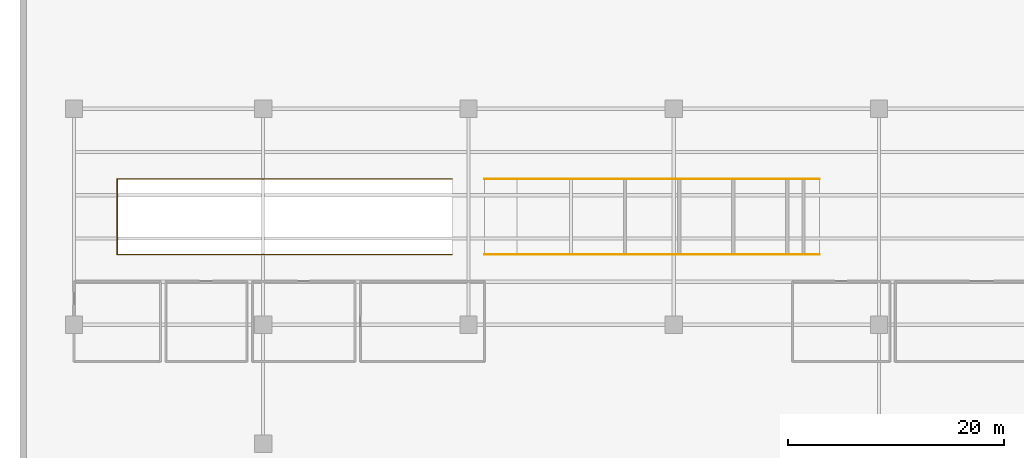
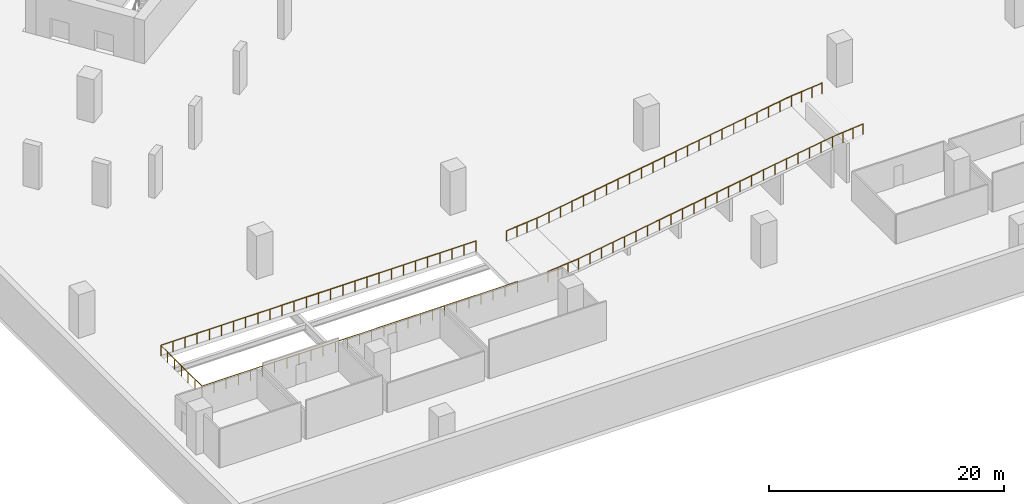
# One storey, part 9 of 11: 3 railings.
"""IFC4 building model written with IfcOpenShell, lengths in metres."""

from ifc_helpers import new_model, si_unit, direction, frame, origin, origin_2d, place, context, subcontext, project, spatial, circle, extrude, material, type_object, element, save


model = new_model("IFC4")

# Units and contexts
model_context = context("Model", 3, precision=1e-05, world=origin(), true_north=direction((0.0, 1.0)))
body_context = subcontext(model_context, "Body", "Model", "MODEL_VIEW")
ifc_project = project(units=[si_unit("LENGTHUNIT", "METRE"), si_unit("AREAUNIT", "SQUARE_METRE"), si_unit("VOLUMEUNIT", "CUBIC_METRE"), si_unit("PLANEANGLEUNIT", "RADIAN"), si_unit("MASSUNIT", "GRAM", prefix="KILO")], contexts=[model_context])

# Site, building, storey
site_placement = place(None, origin())
site = spatial("IfcSite", under=ifc_project, at=site_placement, CompositionType="ELEMENT")
building_placement = place(site_placement, origin())
building = spatial("IfcBuilding", under=site, at=building_placement, Name="Tel Ilan Convention Tower", CompositionType="ELEMENT")
storey_placement = place(building_placement, frame((0.0, 0.0, -4.5)))
storey = spatial("IfcBuildingStorey", under=building, at=storey_placement, Name="B1", CompositionType="ELEMENT", Elevation=-4.5)

# Railings
ifc_material = material(Name="Stainless Steel Grade 316", Category="steel")
railing_type = type_object("IfcRailingType", Name="Stainless Steel Ramp Guard 1100 mm", PredefinedType="GUARDRAIL", material=ifc_material)
railing_1_placement = place(storey_placement, frame((-11.0, -61.5, 0.0)))
element("IfcRailing", 1, at=railing_1_placement, inside=storey, type_object=railing_type, Name="Car Park Ramp B2-B1 opening guard", PredefinedType="GUARDRAIL", context=body_context, shape_type="SweptSolid", body=[
    extrude(circle(Radius=0.02392578125, at=origin_2d()), frame((0.0, 0.0, 1.076171875), z_axis=(-1.0, 0.0, 0.0), x_axis=(0.0, -1.0, 0.0)), (0.0, 0.0, 1.0), 31.0),
    extrude(circle(Radius=0.02392578125, at=origin_2d()), frame((-31.0, 0.0, 1.076171875), z_axis=(0.0, 1.0, 0.0), x_axis=(-1.0, 0.0, 0.0)), (0.0, 0.0, 1.0), 7.0),
    extrude(circle(Radius=0.02392578125, at=origin_2d()), frame((-31.0, 7.0, 1.076171875), z_axis=(1.0, 0.0, 0.0), x_axis=(0.0, 1.0, 0.0)), (0.0, 0.0, 1.0), 31.0),
    extrude(circle(Radius=0.02099609375, at=origin_2d()), origin(), (0.0, 0.0, 1.0), 1.052001953125),
    extrude(circle(Radius=0.02099609375, at=origin_2d()), frame((-1.1923828125, 0.0, 0.0)), (0.0, 0.0, 1.0), 1.052001953125),
    extrude(circle(Radius=0.02099609375, at=origin_2d()), frame((-2.384521484375, 0.0, 0.0)), (0.0, 0.0, 1.0), 1.052001953125),
    extrude(circle(Radius=0.02099609375, at=origin_2d()), frame((-3.576904296875, 0.0, 0.0)), (0.0, 0.0, 1.0), 1.052001953125),
    extrude(circle(Radius=0.02099609375, at=origin_2d()), frame((-4.769287109375, 0.0, 0.0)), (0.0, 0.0, 1.0), 1.052001953125),
    extrude(circle(Radius=0.02099609375, at=origin_2d()), frame((-5.96142578125, 0.0, 0.0)), (0.0, 0.0, 1.0), 1.052001953125),
    extrude(circle(Radius=0.02099609375, at=origin_2d()), frame((-7.15380859375, 0.0, 0.0)), (0.0, 0.0, 1.0), 1.052001953125),
    extrude(circle(Radius=0.02099609375, at=origin_2d()), frame((-8.34619140625, 0.0, 0.0)), (0.0, 0.0, 1.0), 1.052001953125),
    extrude(circle(Radius=0.02099609375, at=origin_2d()), frame((-9.53857421875, 0.0, 0.0)), (0.0, 0.0, 1.0), 1.052001953125),
    extrude(circle(Radius=0.02099609375, at=origin_2d()), frame((-10.730712890625, 0.0, 0.0)), (0.0, 0.0, 1.0), 1.052001953125),
    extrude(circle(Radius=0.02099609375, at=origin_2d()), frame((-11.923095703125, 0.0, 0.0)), (0.0, 0.0, 1.0), 1.052001953125),
    extrude(circle(Radius=0.02099609375, at=origin_2d()), frame((-13.115478515625, 0.0, 0.0)), (0.0, 0.0, 1.0), 1.052001953125),
    extrude(circle(Radius=0.02099609375, at=origin_2d()), frame((-14.3076171875, 0.0, 0.0)), (0.0, 0.0, 1.0), 1.052001953125),
    extrude(circle(Radius=0.02099609375, at=origin_2d()), frame((-15.5, 0.0, 0.0)), (0.0, 0.0, 1.0), 1.052001953125),
    extrude(circle(Radius=0.02099609375, at=origin_2d()), frame((-16.6923828125, 0.0, 0.0)), (0.0, 0.0, 1.0), 1.052001953125),
    extrude(circle(Radius=0.02099609375, at=origin_2d()), frame((-17.884521484375, 0.0, 0.0)), (0.0, 0.0, 1.0), 1.052001953125),
    extrude(circle(Radius=0.02099609375, at=origin_2d()), frame((-19.076904296875, 0.0, 0.0)), (0.0, 0.0, 1.0), 1.052001953125),
    extrude(circle(Radius=0.02099609375, at=origin_2d()), frame((-20.269287109375, 0.0, 0.0)), (0.0, 0.0, 1.0), 1.052001953125),
    extrude(circle(Radius=0.02099609375, at=origin_2d()), frame((-21.46142578125, 0.0, 0.0)), (0.0, 0.0, 1.0), 1.052001953125),
    extrude(circle(Radius=0.02099609375, at=origin_2d()), frame((-22.65380859375, 0.0, 0.0)), (0.0, 0.0, 1.0), 1.052001953125),
    extrude(circle(Radius=0.02099609375, at=origin_2d()), frame((-23.84619140625, 0.0, 0.0)), (0.0, 0.0, 1.0), 1.052001953125),
    extrude(circle(Radius=0.02099609375, at=origin_2d()), frame((-25.03857421875, 0.0, 0.0)), (0.0, 0.0, 1.0), 1.052001953125),
    extrude(circle(Radius=0.02099609375, at=origin_2d()), frame((-26.230712890625, 0.0, 0.0)), (0.0, 0.0, 1.0), 1.052001953125),
    extrude(circle(Radius=0.02099609375, at=origin_2d()), frame((-27.423095703125, 0.0, 0.0)), (0.0, 0.0, 1.0), 1.052001953125),
    extrude(circle(Radius=0.02099609375, at=origin_2d()), frame((-28.615478515625, 0.0, 0.0)), (0.0, 0.0, 1.0), 1.052001953125),
    extrude(circle(Radius=0.02099609375, at=origin_2d()), frame((-29.8076171875, 0.0, 0.0)), (0.0, 0.0, 1.0), 1.052001953125),
    extrude(circle(Radius=0.02099609375, at=origin_2d()), frame((-31.0, 0.0, 0.0)), (0.0, 0.0, 1.0), 1.052001953125),
    extrude(circle(Radius=0.02099609375, at=origin_2d()), frame((-31.0, 1.166748046875, 0.0)), (0.0, 0.0, 1.0), 1.052001953125),
    extrude(circle(Radius=0.02099609375, at=origin_2d()), frame((-31.0, 2.333251953125, 0.0)), (0.0, 0.0, 1.0), 1.052001953125),
    extrude(circle(Radius=0.02099609375, at=origin_2d()), frame((-31.0, 3.5, 0.0)), (0.0, 0.0, 1.0), 1.052001953125),
    extrude(circle(Radius=0.02099609375, at=origin_2d()), frame((-31.0, 4.666748046875, 0.0)), (0.0, 0.0, 1.0), 1.052001953125),
    extrude(circle(Radius=0.02099609375, at=origin_2d()), frame((-31.0, 5.833251953125, 0.0)), (0.0, 0.0, 1.0), 1.052001953125),
    extrude(circle(Radius=0.02099609375, at=origin_2d()), frame((-31.0, 7.0, 0.0)), (0.0, 0.0, 1.0), 1.052001953125),
    extrude(circle(Radius=0.02099609375, at=origin_2d()), frame((-29.8076171875, 7.0, 0.0)), (0.0, 0.0, 1.0), 1.052001953125),
    extrude(circle(Radius=0.02099609375, at=origin_2d()), frame((-28.615478515625, 7.0, 0.0)), (0.0, 0.0, 1.0), 1.052001953125),
    extrude(circle(Radius=0.02099609375, at=origin_2d()), frame((-27.423095703125, 7.0, 0.0)), (0.0, 0.0, 1.0), 1.052001953125),
    extrude(circle(Radius=0.02099609375, at=origin_2d()), frame((-26.230712890625, 7.0, 0.0)), (0.0, 0.0, 1.0), 1.052001953125),
    extrude(circle(Radius=0.02099609375, at=origin_2d()), frame((-25.03857421875, 7.0, 0.0)), (0.0, 0.0, 1.0), 1.052001953125),
    extrude(circle(Radius=0.02099609375, at=origin_2d()), frame((-23.84619140625, 7.0, 0.0)), (0.0, 0.0, 1.0), 1.052001953125),
    extrude(circle(Radius=0.02099609375, at=origin_2d()), frame((-22.65380859375, 7.0, 0.0)), (0.0, 0.0, 1.0), 1.052001953125),
    extrude(circle(Radius=0.02099609375, at=origin_2d()), frame((-21.46142578125, 7.0, 0.0)), (0.0, 0.0, 1.0), 1.052001953125),
    extrude(circle(Radius=0.02099609375, at=origin_2d()), frame((-20.269287109375, 7.0, 0.0)), (0.0, 0.0, 1.0), 1.052001953125),
    extrude(circle(Radius=0.02099609375, at=origin_2d()), frame((-19.076904296875, 7.0, 0.0)), (0.0, 0.0, 1.0), 1.052001953125),
    extrude(circle(Radius=0.02099609375, at=origin_2d()), frame((-17.884521484375, 7.0, 0.0)), (0.0, 0.0, 1.0), 1.052001953125),
    extrude(circle(Radius=0.02099609375, at=origin_2d()), frame((-16.6923828125, 7.0, 0.0)), (0.0, 0.0, 1.0), 1.052001953125),
    extrude(circle(Radius=0.02099609375, at=origin_2d()), frame((-15.5, 7.0, 0.0)), (0.0, 0.0, 1.0), 1.052001953125),
    extrude(circle(Radius=0.02099609375, at=origin_2d()), frame((-14.3076171875, 7.0, 0.0)), (0.0, 0.0, 1.0), 1.052001953125),
    extrude(circle(Radius=0.02099609375, at=origin_2d()), frame((-13.115478515625, 7.0, 0.0)), (0.0, 0.0, 1.0), 1.052001953125),
    extrude(circle(Radius=0.02099609375, at=origin_2d()), frame((-11.923095703125, 7.0, 0.0)), (0.0, 0.0, 1.0), 1.052001953125),
    extrude(circle(Radius=0.02099609375, at=origin_2d()), frame((-10.730712890625, 7.0, 0.0)), (0.0, 0.0, 1.0), 1.052001953125),
    extrude(circle(Radius=0.02099609375, at=origin_2d()), frame((-9.53857421875, 7.0, 0.0)), (0.0, 0.0, 1.0), 1.052001953125),
    extrude(circle(Radius=0.02099609375, at=origin_2d()), frame((-8.34619140625, 7.0, 0.0)), (0.0, 0.0, 1.0), 1.052001953125),
    extrude(circle(Radius=0.02099609375, at=origin_2d()), frame((-7.15380859375, 7.0, 0.0)), (0.0, 0.0, 1.0), 1.052001953125),
    extrude(circle(Radius=0.02099609375, at=origin_2d()), frame((-5.96142578125, 7.0, 0.0)), (0.0, 0.0, 1.0), 1.052001953125),
    extrude(circle(Radius=0.02099609375, at=origin_2d()), frame((-4.769287109375, 7.0, 0.0)), (0.0, 0.0, 1.0), 1.052001953125),
    extrude(circle(Radius=0.02099609375, at=origin_2d()), frame((-3.576904296875, 7.0, 0.0)), (0.0, 0.0, 1.0), 1.052001953125),
    extrude(circle(Radius=0.02099609375, at=origin_2d()), frame((-2.384521484375, 7.0, 0.0)), (0.0, 0.0, 1.0), 1.052001953125),
    extrude(circle(Radius=0.02099609375, at=origin_2d()), frame((-1.1923828125, 7.0, 0.0)), (0.0, 0.0, 1.0), 1.052001953125),
    extrude(circle(Radius=0.02099609375, at=origin_2d()), frame((0.0, 7.0, 0.0)), (0.0, 0.0, 1.0), 1.052001953125),
])
railing_2_placement = place(storey_placement, frame((-8.0, -61.5, 0.0)))
element("IfcRailing", 2, at=railing_2_placement, inside=storey, type_object=railing_type, Name="Car Park Ramp B1-L00 guard 1", PredefinedType="GUARDRAIL", context=body_context, shape_type="SweptSolid", body=[
    extrude(circle(Radius=0.02392578125, at=origin_2d()), frame((0.0, 0.0, 1.076171875), z_axis=(0.995671796009, 0.0, 0.092939090985), x_axis=(0.0, 1.0, 0.0)), (0.0, 0.0, 1.0), 3.012939453125),
    extrude(circle(Radius=0.02392578125, at=origin_2d()), frame((3.0, 0.0, 1.35595703125), z_axis=(0.987808132322, 0.0, 0.155676246479), x_axis=(0.0, 1.0, 0.0)), (0.0, 0.0, 1.0), 25.30859375),
    extrude(circle(Radius=0.02392578125, at=origin_2d()), frame((28.0, 0.0, 5.2958984375), z_axis=(0.995671796009, 0.0, 0.092939090985), x_axis=(0.0, 1.0, 0.0)), (0.0, 0.0, 1.0), 3.012939453125),
    extrude(circle(Radius=0.02099609375, at=origin_2d()), origin(), (0.0, 0.0, 1.0), 1.052001953125),
    extrude(circle(Radius=0.02099609375, at=origin_2d()), frame((1.0, 0.0, 0.09326171875)), (0.0, 0.0, 1.0), 1.052001953125),
    extrude(circle(Radius=0.02099609375, at=origin_2d()), frame((2.0, 0.0, 0.186767578125)), (0.0, 0.0, 1.0), 1.052001953125),
    extrude(circle(Radius=0.02099609375, at=origin_2d()), frame((3.0, 0.0, 0.280029296875)), (0.0, 0.0, 1.0), 1.052001953125),
    extrude(circle(Radius=0.02099609375, at=origin_2d()), frame((4.136474609375, 0.0, 0.459228515625)), (0.0, 0.0, 1.0), 1.052001953125),
    extrude(circle(Radius=0.02099609375, at=origin_2d()), frame((5.272705078125, 0.0, 0.63818359375)), (0.0, 0.0, 1.0), 1.052001953125),
    extrude(circle(Radius=0.02099609375, at=origin_2d()), frame((6.4091796875, 0.0, 0.8173828125)), (0.0, 0.0, 1.0), 1.052001953125),
    extrude(circle(Radius=0.02099609375, at=origin_2d()), frame((7.54541015625, 0.0, 0.996337890625)), (0.0, 0.0, 1.0), 1.052001953125),
    extrude(circle(Radius=0.02099609375, at=origin_2d()), frame((8.681884765625, 0.0, 1.175537109375)), (0.0, 0.0, 1.0), 1.052001953125),
    extrude(circle(Radius=0.02099609375, at=origin_2d()), frame((9.818115234375, 0.0, 1.3544921875)), (0.0, 0.0, 1.0), 1.052001953125),
    extrude(circle(Radius=0.02099609375, at=origin_2d()), frame((10.95458984375, 0.0, 1.53369140625)), (0.0, 0.0, 1.0), 1.052001953125),
    extrude(circle(Radius=0.02099609375, at=origin_2d()), frame((12.0908203125, 0.0, 1.712646484375)), (0.0, 0.0, 1.0), 1.052001953125),
    extrude(circle(Radius=0.02099609375, at=origin_2d()), frame((13.227294921875, 0.0, 1.891845703125)), (0.0, 0.0, 1.0), 1.052001953125),
    extrude(circle(Radius=0.02099609375, at=origin_2d()), frame((14.363525390625, 0.0, 2.07080078125)), (0.0, 0.0, 1.0), 1.052001953125),
    extrude(circle(Radius=0.02099609375, at=origin_2d()), frame((15.5, 0.0, 2.25)), (0.0, 0.0, 1.0), 1.052001953125),
    extrude(circle(Radius=0.02099609375, at=origin_2d()), frame((16.636474609375, 0.0, 2.42919921875)), (0.0, 0.0, 1.0), 1.052001953125),
    extrude(circle(Radius=0.02099609375, at=origin_2d()), frame((17.772705078125, 0.0, 2.608154296875)), (0.0, 0.0, 1.0), 1.052001953125),
    extrude(circle(Radius=0.02099609375, at=origin_2d()), frame((18.9091796875, 0.0, 2.787353515625)), (0.0, 0.0, 1.0), 1.052001953125),
    extrude(circle(Radius=0.02099609375, at=origin_2d()), frame((20.04541015625, 0.0, 2.96630859375)), (0.0, 0.0, 1.0), 1.052001953125),
    extrude(circle(Radius=0.02099609375, at=origin_2d()), frame((21.181884765625, 0.0, 3.1455078125)), (0.0, 0.0, 1.0), 1.052001953125),
    extrude(circle(Radius=0.02099609375, at=origin_2d()), frame((22.318115234375, 0.0, 3.324462890625)), (0.0, 0.0, 1.0), 1.052001953125),
    extrude(circle(Radius=0.02099609375, at=origin_2d()), frame((23.45458984375, 0.0, 3.503662109375)), (0.0, 0.0, 1.0), 1.052001953125),
    extrude(circle(Radius=0.02099609375, at=origin_2d()), frame((24.5908203125, 0.0, 3.6826171875)), (0.0, 0.0, 1.0), 1.052001953125),
    extrude(circle(Radius=0.02099609375, at=origin_2d()), frame((25.727294921875, 0.0, 3.86181640625)), (0.0, 0.0, 1.0), 1.052001953125),
    extrude(circle(Radius=0.02099609375, at=origin_2d()), frame((26.863525390625, 0.0, 4.040771484375)), (0.0, 0.0, 1.0), 1.052001953125),
    extrude(circle(Radius=0.02099609375, at=origin_2d()), frame((28.0, 0.0, 4.219970703125)), (0.0, 0.0, 1.0), 1.052001953125),
    extrude(circle(Radius=0.02099609375, at=origin_2d()), frame((29.0, 0.0, 4.313232421875)), (0.0, 0.0, 1.0), 1.052001953125),
    extrude(circle(Radius=0.02099609375, at=origin_2d()), frame((30.0, 0.0, 4.40673828125)), (0.0, 0.0, 1.0), 1.052001953125),
    extrude(circle(Radius=0.02099609375, at=origin_2d()), frame((31.0, 0.0, 4.5)), (0.0, 0.0, 1.0), 1.052001953125),
])
railing_3_placement = place(storey_placement, frame((-8.0, -54.5, 0.0)))
element("IfcRailing", 3, at=railing_3_placement, inside=storey, type_object=railing_type, Name="Car Park Ramp B1-L00 guard 2", PredefinedType="GUARDRAIL", context=body_context, shape_type="SweptSolid", body=[
    extrude(circle(Radius=0.02392578125, at=origin_2d()), frame((0.0, 0.0, 1.076171875), z_axis=(0.995671796009, 0.0, 0.092939090985), x_axis=(0.0, 1.0, 0.0)), (0.0, 0.0, 1.0), 3.012939453125),
    extrude(circle(Radius=0.02392578125, at=origin_2d()), frame((3.0, 0.0, 1.35595703125), z_axis=(0.987808132322, 0.0, 0.155676246479), x_axis=(0.0, 1.0, 0.0)), (0.0, 0.0, 1.0), 25.30859375),
    extrude(circle(Radius=0.02392578125, at=origin_2d()), frame((28.0, 0.0, 5.2958984375), z_axis=(0.995671796009, 0.0, 0.092939090985), x_axis=(0.0, 1.0, 0.0)), (0.0, 0.0, 1.0), 3.012939453125),
    extrude(circle(Radius=0.02099609375, at=origin_2d()), origin(), (0.0, 0.0, 1.0), 1.052001953125),
    extrude(circle(Radius=0.02099609375, at=origin_2d()), frame((1.0, 0.0, 0.09326171875)), (0.0, 0.0, 1.0), 1.052001953125),
    extrude(circle(Radius=0.02099609375, at=origin_2d()), frame((2.0, 0.0, 0.186767578125)), (0.0, 0.0, 1.0), 1.052001953125),
    extrude(circle(Radius=0.02099609375, at=origin_2d()), frame((3.0, 0.0, 0.280029296875)), (0.0, 0.0, 1.0), 1.052001953125),
    extrude(circle(Radius=0.02099609375, at=origin_2d()), frame((4.136474609375, 0.0, 0.459228515625)), (0.0, 0.0, 1.0), 1.052001953125),
    extrude(circle(Radius=0.02099609375, at=origin_2d()), frame((5.272705078125, 0.0, 0.63818359375)), (0.0, 0.0, 1.0), 1.052001953125),
    extrude(circle(Radius=0.02099609375, at=origin_2d()), frame((6.4091796875, 0.0, 0.8173828125)), (0.0, 0.0, 1.0), 1.052001953125),
    extrude(circle(Radius=0.02099609375, at=origin_2d()), frame((7.54541015625, 0.0, 0.996337890625)), (0.0, 0.0, 1.0), 1.052001953125),
    extrude(circle(Radius=0.02099609375, at=origin_2d()), frame((8.681884765625, 0.0, 1.175537109375)), (0.0, 0.0, 1.0), 1.052001953125),
    extrude(circle(Radius=0.02099609375, at=origin_2d()), frame((9.818115234375, 0.0, 1.3544921875)), (0.0, 0.0, 1.0), 1.052001953125),
    extrude(circle(Radius=0.02099609375, at=origin_2d()), frame((10.95458984375, 0.0, 1.53369140625)), (0.0, 0.0, 1.0), 1.052001953125),
    extrude(circle(Radius=0.02099609375, at=origin_2d()), frame((12.0908203125, 0.0, 1.712646484375)), (0.0, 0.0, 1.0), 1.052001953125),
    extrude(circle(Radius=0.02099609375, at=origin_2d()), frame((13.227294921875, 0.0, 1.891845703125)), (0.0, 0.0, 1.0), 1.052001953125),
    extrude(circle(Radius=0.02099609375, at=origin_2d()), frame((14.363525390625, 0.0, 2.07080078125)), (0.0, 0.0, 1.0), 1.052001953125),
    extrude(circle(Radius=0.02099609375, at=origin_2d()), frame((15.5, 0.0, 2.25)), (0.0, 0.0, 1.0), 1.052001953125),
    extrude(circle(Radius=0.02099609375, at=origin_2d()), frame((16.636474609375, 0.0, 2.42919921875)), (0.0, 0.0, 1.0), 1.052001953125),
    extrude(circle(Radius=0.02099609375, at=origin_2d()), frame((17.772705078125, 0.0, 2.608154296875)), (0.0, 0.0, 1.0), 1.052001953125),
    extrude(circle(Radius=0.02099609375, at=origin_2d()), frame((18.9091796875, 0.0, 2.787353515625)), (0.0, 0.0, 1.0), 1.052001953125),
    extrude(circle(Radius=0.02099609375, at=origin_2d()), frame((20.04541015625, 0.0, 2.96630859375)), (0.0, 0.0, 1.0), 1.052001953125),
    extrude(circle(Radius=0.02099609375, at=origin_2d()), frame((21.181884765625, 0.0, 3.1455078125)), (0.0, 0.0, 1.0), 1.052001953125),
    extrude(circle(Radius=0.02099609375, at=origin_2d()), frame((22.318115234375, 0.0, 3.324462890625)), (0.0, 0.0, 1.0), 1.052001953125),
    extrude(circle(Radius=0.02099609375, at=origin_2d()), frame((23.45458984375, 0.0, 3.503662109375)), (0.0, 0.0, 1.0), 1.052001953125),
    extrude(circle(Radius=0.02099609375, at=origin_2d()), frame((24.5908203125, 0.0, 3.6826171875)), (0.0, 0.0, 1.0), 1.052001953125),
    extrude(circle(Radius=0.02099609375, at=origin_2d()), frame((25.727294921875, 0.0, 3.86181640625)), (0.0, 0.0, 1.0), 1.052001953125),
    extrude(circle(Radius=0.02099609375, at=origin_2d()), frame((26.863525390625, 0.0, 4.040771484375)), (0.0, 0.0, 1.0), 1.052001953125),
    extrude(circle(Radius=0.02099609375, at=origin_2d()), frame((28.0, 0.0, 4.219970703125)), (0.0, 0.0, 1.0), 1.052001953125),
    extrude(circle(Radius=0.02099609375, at=origin_2d()), frame((29.0, 0.0, 4.313232421875)), (0.0, 0.0, 1.0), 1.052001953125),
    extrude(circle(Radius=0.02099609375, at=origin_2d()), frame((30.0, 0.0, 4.40673828125)), (0.0, 0.0, 1.0), 1.052001953125),
    extrude(circle(Radius=0.02099609375, at=origin_2d()), frame((31.0, 0.0, 4.5)), (0.0, 0.0, 1.0), 1.052001953125),
])

save(model, "model.ifc")
